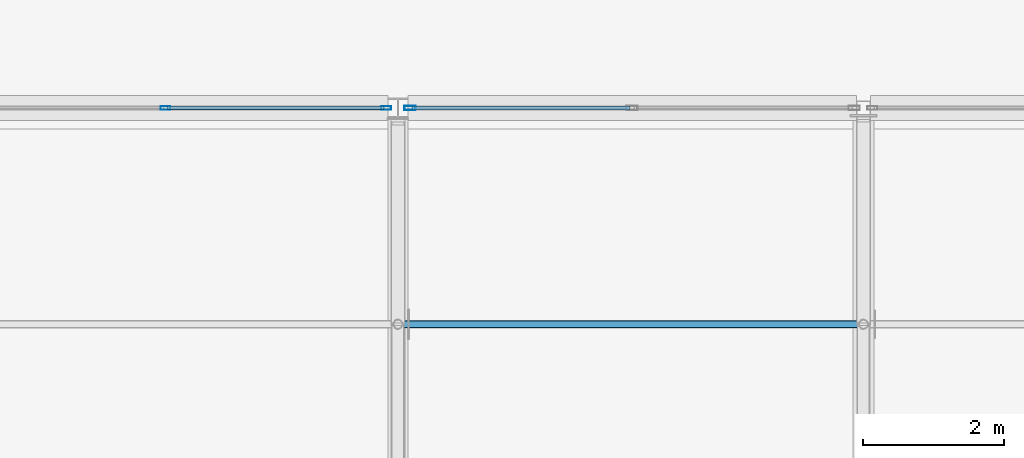
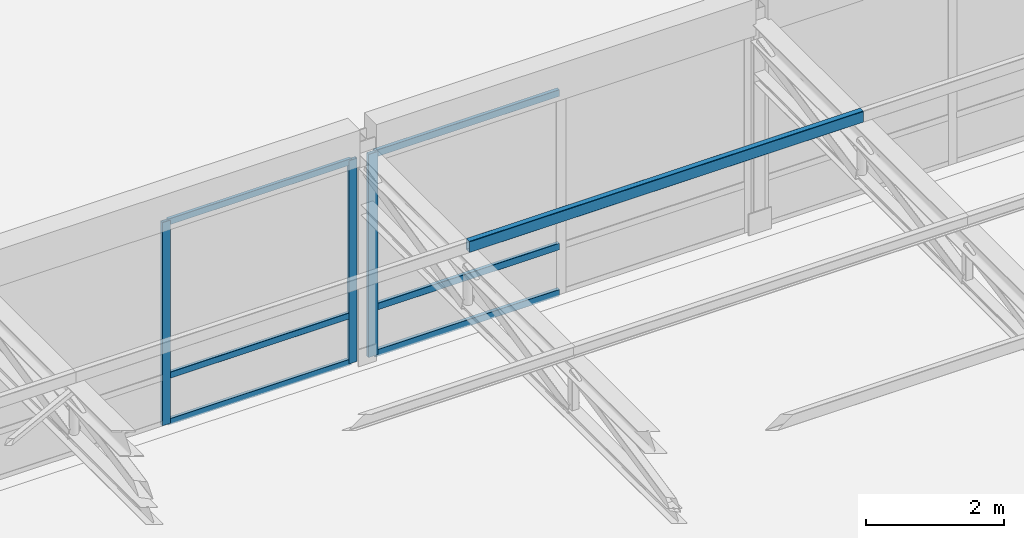
# One storey, part 26 of 92: 10 members, 2 elements without a shape of their own.
"""IFC4 building model written with IfcOpenShell, lengths in metres."""

import ifcopenshell
import ifcopenshell.guid

model = None  # the IFC model being written
_history = None  # IfcOwnerHistory: only IFC2X3 demands one
_inside = {}  # id of a spatial element -> (the spatial element, [elements in it])
_under = {}  # id of a project, library or spatial element -> (it, [spatial elements below it])
_declared = {}  # id of a project -> (the project, [libraries it declares])
_typed = {}  # id of a type object -> (the type object, [elements of that type])
_made_of = {}  # id of a material, layer set ... -> (it, [elements and type objects made of it])


def new_model(schema):
    """Start an empty IFC model of exactly this schema.

    Asked for "IFC4X3", IfcOpenShell would pick the latest addendum, in which some entities
    have other attributes; the version numbers below select the first issue.
    IFC2X3 requires an IfcOwnerHistory on every rooted entity: one is made here for all.
    """
    global model, _history
    if schema == "IFC4X3":
        model = ifcopenshell.file(schema_version=(4, 3, 0, 0))
    else:
        model = ifcopenshell.file(schema=schema)
    _inside.clear()
    _under.clear()
    _declared.clear()
    _typed.clear()
    _made_of.clear()
    _history = None
    if model.schema == "IFC2X3":
        org = make("IfcOrganization", Name="unknown")
        user = make(
            "IfcPersonAndOrganization",
            ThePerson=make("IfcPerson", FamilyName="unknown"),
            TheOrganization=org,
        )
        app = make(
            "IfcApplication",
            ApplicationDeveloper=org,
            Version="unknown",
            ApplicationFullName="unknown",
            ApplicationIdentifier="unknown",
        )
        _history = make(
            "IfcOwnerHistory",
            OwningUser=user,
            OwningApplication=app,
            ChangeAction="ADDED",
            CreationDate=0,
        )
    return model


def make(cls, **values):
    """One entity of the class cls with the attributes given. An attribute that is None is left unset."""
    return model.create_entity(
        cls, **{name: value for name, value in values.items() if value is not None}
    )


def rooted(cls, **values):
    """An entity with a GlobalId (a new one), such as an element, a storey or a relation."""
    return make(cls, GlobalId=ifcopenshell.guid.new(), OwnerHistory=_history, **values)


def si_unit(unit_type, name, prefix=None):
    """IfcSIUnit, for example si_unit("LENGTHUNIT", "METRE", prefix="MILLI")."""
    return make("IfcSIUnit", UnitType=unit_type, Prefix=prefix, Name=name)


def assignment(units):
    """IfcUnitAssignment: the units of a project."""
    return None if units is None else make("IfcUnitAssignment", Units=units)


def point(xyz):
    """IfcCartesianPoint."""
    return None if xyz is None else make("IfcCartesianPoint", Coordinates=xyz)


def direction(xyz):
    """IfcDirection."""
    return None if xyz is None else make("IfcDirection", DirectionRatios=xyz)


def frame(location, z_axis=None, x_axis=None):
    """IfcAxis2Placement3D, a coordinate frame: its origin and axes. An axis left out is left unset."""
    return make(
        "IfcAxis2Placement3D",
        Location=point(location),
        Axis=direction(z_axis),
        RefDirection=direction(x_axis),
    )


def frame_2d(location, x_axis=None):
    """IfcAxis2Placement2D, a coordinate frame in the plane: its origin and x axis."""
    return make(
        "IfcAxis2Placement2D", Location=point(location), RefDirection=direction(x_axis)
    )


def origin():
    """The frame at (0, 0, 0) with its axes left unset."""
    return frame((0.0, 0.0, 0.0))


def origin_2d():
    """The frame at (0, 0) in the plane with its x axis left unset."""
    return frame_2d((0.0, 0.0))


def place(relative_to, where):
    """IfcLocalPlacement: puts the frame where relative to a parent placement (None: the world)."""
    return make(
        "IfcLocalPlacement", PlacementRelTo=relative_to, RelativePlacement=where
    )


def context(
    kind, dimensions, precision=None, world=None, true_north=None, identifier=None
):
    """IfcGeometricRepresentationContext, for example the 3D "Model" context."""
    return make(
        "IfcGeometricRepresentationContext",
        ContextIdentifier=identifier,
        ContextType=kind,
        CoordinateSpaceDimension=dimensions,
        Precision=precision,
        WorldCoordinateSystem=world,
        TrueNorth=true_north,
    )


def subcontext(parent, identifier, kind, view, scale=None):
    """IfcGeometricRepresentationSubContext, for example "Body" below "Model"."""
    return make(
        "IfcGeometricRepresentationSubContext",
        ContextIdentifier=identifier,
        ContextType=kind,
        ParentContext=parent,
        TargetScale=scale,
        TargetView=view,
    )


def project(units=None, contexts=None):
    """IfcProject with its units and contexts."""
    return rooted(
        "IfcProject",
        Name="project",
        RepresentationContexts=contexts,
        UnitsInContext=assignment(units),
    )


def spatial(cls, under=None, at=None, **own):
    """A site, building, storey or space (cls), placed at a placement, below another one or the project."""
    s = rooted(cls, ObjectPlacement=at, **own)
    if under is not None:
        _under.setdefault(under.id(), (under, []))[1].append(s)
    return s


def profile(cls, at=None, kind="AREA", **sizes):
    """A parametric profile (cls). Its sizes go by their IFC names, for example OverallWidth=200.0."""
    return make(cls, ProfileType=kind, Position=at, **sizes)


def hollow_rectangle(**sizes):
    """IfcRectangleHollowProfileDef."""
    return profile("IfcRectangleHollowProfileDef", **sizes)


def extrude(swept, where, along, depth):
    """IfcExtrudedAreaSolid: the profile swept, set in the frame where, extruded along a direction by depth."""
    return make(
        "IfcExtrudedAreaSolid",
        SweptArea=swept,
        Position=where,
        ExtrudedDirection=direction(along),
        Depth=depth,
    )


def shape(context_of_items, identifier, shape_type, items):
    """IfcShapeRepresentation: the items that make up one representation, for example the "Body"."""
    return make(
        "IfcShapeRepresentation",
        ContextOfItems=context_of_items,
        RepresentationIdentifier=identifier,
        RepresentationType=shape_type,
        Items=items,
    )


def material(Name=None, Category=None):
    """IfcMaterial."""
    return make("IfcMaterial", Name=Name, Category=Category)


def material_profile(
    of_material, cross_section, Name=None, Category=None, Priority=None
):
    """IfcMaterialProfile: a cross section and its material."""
    return make(
        "IfcMaterialProfile",
        Name=Name,
        Material=of_material,
        Profile=cross_section,
        Priority=Priority,
        Category=Category,
    )


def profile_set(profiles, Name=None, composite=None):
    """IfcMaterialProfileSet."""
    return make(
        "IfcMaterialProfileSet",
        Name=Name,
        MaterialProfiles=profiles,
        CompositeProfile=composite,
    )


def made_of(thing, what):
    """Note that an element or type object is made of a material, layer set ...; save() writes the relation."""
    if what is not None:
        _made_of.setdefault(what.id(), (what, []))[1].append(thing)
    return thing


def type_object(cls, material=None, **own):
    """A type object (cls), such as IfcWallType, which elements share."""
    return made_of(rooted(cls, **own), material)


def element(
    cls,
    number,
    at=None,
    inside=None,
    cuts=None,
    type_object=None,
    material=None,
    context=None,
    identifier="Body",
    shape_type=None,
    held_by="IfcProductDefinitionShape",
    body=None,
    shapes=None,
    **own,
):
    """One element of the class cls, such as IfcWall. Its Tag is "e" and its number.

    at: its placement. inside: the storey or other place that contains it. cuts: it is an
    opening in that element (IfcRelVoidsElement). A single representation is given by context,
    identifier, shape_type and body (its items); several are given by shapes. held_by: the class
    of the entity that holds the representations. save() writes the other relations.
    """
    e = rooted(cls, Tag="e%d" % number, ObjectPlacement=at, **own)
    if body is not None:
        shapes = [shape(context, identifier, shape_type, body)]
    if shapes is not None:
        e.Representation = make(held_by, Representations=shapes)
    if inside is not None:
        _inside.setdefault(inside.id(), (inside, []))[1].append(e)
    if cuts is not None:
        rooted(
            "IfcRelVoidsElement", RelatingBuildingElement=cuts, RelatedOpeningElement=e
        )
    if type_object is not None:
        _typed.setdefault(type_object.id(), (type_object, []))[1].append(e)
    return made_of(e, material)


def aggregate(whole, parts):
    """IfcRelAggregates: a whole, such as a stair, and the parts it consists of."""
    return rooted("IfcRelAggregates", RelatingObject=whole, RelatedObjects=parts)


def save(model, path):
    """Write the relations noted so far, then the file.

    IfcRelAggregates (storeys below a building ...), IfcRelContainedInSpatialStructure (elements
    in a storey), IfcRelDefinesByType, IfcRelAssociatesMaterial and IfcRelDeclares: one each for
    every whole, place, type object, material and project.
    """
    for whole, parts in _under.values():
        aggregate(whole, parts)
    for where, things in _inside.values():
        rooted(
            "IfcRelContainedInSpatialStructure",
            RelatedElements=things,
            RelatingStructure=where,
        )
    for kind, things in _typed.values():
        rooted("IfcRelDefinesByType", RelatedObjects=things, RelatingType=kind)
    for what, things in _made_of.values():
        rooted("IfcRelAssociatesMaterial", RelatedObjects=things, RelatingMaterial=what)
    for by, libraries in _declared.values():
        rooted("IfcRelDeclares", RelatingContext=by, RelatedDefinitions=libraries)
    model.write(path)


model = new_model("IFC4")

# Units and contexts
model_context = context("Model", 3, precision=1e-05, world=origin(), true_north=direction((0.0, 1.0)))
body_context = subcontext(model_context, "Body", "Model", "MODEL_VIEW")
ifc_project = project(units=[si_unit("LENGTHUNIT", "METRE"), si_unit("AREAUNIT", "SQUARE_METRE"), si_unit("VOLUMEUNIT", "CUBIC_METRE"), si_unit("PLANEANGLEUNIT", "RADIAN"), si_unit("MASSUNIT", "GRAM", prefix="KILO")], contexts=[model_context])

# Site, building, storey
site_placement = place(None, origin())
site = spatial("IfcSite", under=ifc_project, at=site_placement, CompositionType="ELEMENT")
building_placement = place(site_placement, origin())
building = spatial("IfcBuilding", under=site, at=building_placement, Name="Kernevlak Ridge Housing Community", CompositionType="ELEMENT")
storey_placement = place(building_placement, frame((0.0, 0.0, 4.199951171875)))
storey = spatial("IfcBuildingStorey", under=building, at=storey_placement, Name="L01", CompositionType="ELEMENT", Elevation=4.199951171875)

# Curtain wall, members
ifc_material_1 = material(Name="Aluminium EN AW-6060 anodised and laminated glass", Category="aluminium")
curtain_wall_type_1 = type_object("IfcCurtainWallType", Name="CW-11", PredefinedType="NOTDEFINED", material=ifc_material_1)
curtain_wall_1_placement = place(storey_placement, origin())
curtain_wall_1 = element("IfcCurtainWall", 1, at=curtain_wall_1_placement, inside=storey, type_object=curtain_wall_type_1, Name="Curtain wall CW-11 CW-L01-177", PredefinedType="NOTDEFINED")
ifc_material_2 = material(Name="Aluminium EN AW-6060 anodised", Category="aluminium")
ifc_material_profile_1 = material_profile(ifc_material_2, hollow_rectangle(XDim=0.054931640625, YDim=0.139892578125, WallThickness=0.00390625, InnerFilletRadius=0.001953125, OuterFilletRadius=0.00390625, at=origin_2d()), Name="ALU 55x140x4")
ifc_profile_set_1 = profile_set([ifc_material_profile_1], Name="Aluminium EN AW-6060 anodised")
member_type_1 = type_object("IfcMemberType", Name="MU-01", PredefinedType="MULLION", material=ifc_profile_set_1)
member_1_placement = place(storey_placement, frame((74.10498046875, 68.199951171875, 0.0), z_axis=(0.0, 0.0, 1.0), x_axis=(0.0, 1.0, 0.0)))
member_1 = element("IfcMember", 2, at=member_1_placement, type_object=member_type_1, Name="CW-11 mullion 2", PredefinedType="MULLION", context=body_context, shape_type="SweptSolid", body=[
    extrude(hollow_rectangle(XDim=0.054931640625, YDim=0.139892578125, WallThickness=0.00390625, InnerFilletRadius=0.001953125, OuterFilletRadius=0.00390625, at=origin_2d()), origin(), (0.0, 0.0, 1.0), 3.60009765625),
])
member_2_placement = place(storey_placement, frame((77.232421875, 68.199951171875, 0.0), z_axis=(0.0, 0.0, 1.0), x_axis=(0.0, 1.0, 0.0)))
member_2 = element("IfcMember", 3, at=member_2_placement, type_object=member_type_1, Name="CW-11 mullion 3", PredefinedType="MULLION", context=body_context, shape_type="SweptSolid", body=[
    extrude(hollow_rectangle(XDim=0.054931640625, YDim=0.139892578125, WallThickness=0.00390625, InnerFilletRadius=0.001953125, OuterFilletRadius=0.00390625, at=origin_2d()), origin(), (0.0, 0.0, 1.0), 3.60009765625),
])

# Curtain wall, member
curtain_wall_type_2 = type_object("IfcCurtainWallType", Name="CW-12", PredefinedType="NOTDEFINED", material=ifc_material_1)
curtain_wall_2_placement = place(storey_placement, origin())
curtain_wall_2 = element("IfcCurtainWall", 4, at=curtain_wall_2_placement, inside=storey, type_object=curtain_wall_type_2, Name="Curtain wall CW-12 CW-L01-178", PredefinedType="NOTDEFINED")
ifc_material_profile_2 = material_profile(ifc_material_2, hollow_rectangle(XDim=0.06005859375, YDim=0.159912109375, WallThickness=0.00390625, InnerFilletRadius=0.001953125, OuterFilletRadius=0.00390625, at=origin_2d()), Name="ALU 60x160x4")
ifc_profile_set_2 = profile_set([ifc_material_profile_2], Name="Aluminium EN AW-6060 anodised")
member_type_2 = type_object("IfcMemberType", Name="MU-02", PredefinedType="MULLION", material=ifc_profile_set_2)
member_3_placement = place(storey_placement, frame((77.570068359375, 68.199951171875, 0.0), z_axis=(0.0, 0.0, 1.0), x_axis=(0.0, 1.0, 0.0)))
member_3 = element("IfcMember", 5, at=member_3_placement, type_object=member_type_2, Name="CW-12 mullion 1", PredefinedType="MULLION", context=body_context, shape_type="SweptSolid", body=[
    extrude(hollow_rectangle(XDim=0.06005859375, YDim=0.159912109375, WallThickness=0.00390625, InnerFilletRadius=0.001953125, OuterFilletRadius=0.00390625, at=origin_2d()), origin(), (0.0, 0.0, 1.0), 3.60009765625),
])

# Member
ifc_material_3 = material(Name="Steel S355", Category="steel")
ifc_material_profile_3 = material_profile(ifc_material_3, hollow_rectangle(XDim=0.10009765625, YDim=0.199951171875, WallThickness=0.008056640625, InnerFilletRadius=0.008056640625, OuterFilletRadius=0.011962890625, at=origin_2d()), Name="RHS 200x100x8")
ifc_profile_set_3 = profile_set([ifc_material_profile_3], Name="Steel S355")
member_type_3 = type_object("IfcMemberType", Name="PU-05", PredefinedType="PURLIN", material=ifc_profile_set_3)
member_4_placement = place(storey_placement, frame((77.39990234375, 65.13330078125, 3.860107421875), z_axis=(1.0, 0.0, 0.0), x_axis=(0.0, 1.0, 0.0)))
element("IfcMember", 6, at=member_4_placement, inside=storey, type_object=member_type_3, Name="Community Hall steel roof purlin 3.6", PredefinedType="PURLIN", context=body_context, shape_type="SweptSolid", body=[
    extrude(hollow_rectangle(XDim=0.10009765625, YDim=0.199951171875, WallThickness=0.008056640625, InnerFilletRadius=0.008056640625, OuterFilletRadius=0.011962890625, at=origin_2d()), origin(), (0.0, 0.0, 1.0), 6.60009765625),
])

ifc_material_profile_4 = material_profile(ifc_material_2, hollow_rectangle(XDim=0.054931640625, YDim=0.110107421875, WallThickness=0.00390625, InnerFilletRadius=0.001953125, OuterFilletRadius=0.00390625, at=origin_2d()), Name="ALU 55x110x4")
ifc_profile_set_4 = profile_set([ifc_material_profile_4], Name="Aluminium EN AW-6060 anodised")
member_type_4 = type_object("IfcMemberType", Name="TM-01", PredefinedType="USERDEFINED", material=ifc_profile_set_4)
member_5_placement = place(storey_placement, frame((74.132568359375, 68.199951171875, 0.027587890625), z_axis=(1.0, 0.0, 0.0), x_axis=(0.0, 1.0, 0.0)))
member_5 = element("IfcMember", 7, at=member_5_placement, type_object=member_type_4, Name="CW-11 transom 2.1", ObjectType="TRANSOM", PredefinedType="USERDEFINED", context=body_context, shape_type="SweptSolid", body=[
    extrude(hollow_rectangle(XDim=0.054931640625, YDim=0.110107421875, WallThickness=0.00390625, InnerFilletRadius=0.001953125, OuterFilletRadius=0.00390625, at=origin_2d()), origin(), (0.0, 0.0, 1.0), 3.072509765625),
])

member_6_placement = place(storey_placement, frame((74.132568359375, 68.199951171875, 0.85009765625), z_axis=(1.0, 0.0, 0.0), x_axis=(0.0, 1.0, 0.0)))
member_6 = element("IfcMember", 8, at=member_6_placement, type_object=member_type_4, Name="CW-11 transom 2.2", ObjectType="TRANSOM", PredefinedType="USERDEFINED", context=body_context, shape_type="SweptSolid", body=[
    extrude(hollow_rectangle(XDim=0.054931640625, YDim=0.110107421875, WallThickness=0.00390625, InnerFilletRadius=0.001953125, OuterFilletRadius=0.00390625, at=origin_2d()), origin(), (0.0, 0.0, 1.0), 3.072509765625),
])

member_7_placement = place(storey_placement, frame((74.132568359375, 68.199951171875, 3.572509765625), z_axis=(1.0, 0.0, 0.0), x_axis=(0.0, 1.0, 0.0)))
member_7 = element("IfcMember", 9, at=member_7_placement, type_object=member_type_4, Name="CW-11 transom 2.3", ObjectType="TRANSOM", PredefinedType="USERDEFINED", context=body_context, shape_type="SweptSolid", body=[
    extrude(hollow_rectangle(XDim=0.054931640625, YDim=0.110107421875, WallThickness=0.00390625, InnerFilletRadius=0.001953125, OuterFilletRadius=0.00390625, at=origin_2d()), origin(), (0.0, 0.0, 1.0), 3.072509765625),
])

aggregate(curtain_wall_1, [member_1, member_2, member_5, member_6, member_7])

ifc_material_profile_5 = material_profile(ifc_material_2, hollow_rectangle(XDim=0.06005859375, YDim=0.1201171875, WallThickness=0.00390625, InnerFilletRadius=0.001953125, OuterFilletRadius=0.00390625, at=origin_2d()), Name="ALU 60x120x4")
ifc_profile_set_5 = profile_set([ifc_material_profile_5], Name="Aluminium EN AW-6060 anodised")
member_type_5 = type_object("IfcMemberType", Name="TM-02", PredefinedType="USERDEFINED", material=ifc_profile_set_5)
member_8_placement = place(storey_placement, frame((77.60009765625, 68.199951171875, 0.030029296875), z_axis=(1.0, 0.0, 0.0), x_axis=(0.0, 1.0, 0.0)))
member_8 = element("IfcMember", 10, at=member_8_placement, type_object=member_type_5, Name="CW-12 transom 1.1", ObjectType="TRANSOM", PredefinedType="USERDEFINED", context=body_context, shape_type="SweptSolid", body=[
    extrude(hollow_rectangle(XDim=0.06005859375, YDim=0.1201171875, WallThickness=0.00390625, InnerFilletRadius=0.001953125, OuterFilletRadius=0.00390625, at=origin_2d()), origin(), (0.0, 0.0, 1.0), 3.08984375),
])

member_9_placement = place(storey_placement, frame((77.60009765625, 68.199951171875, 0.85009765625), z_axis=(1.0, 0.0, 0.0), x_axis=(0.0, 1.0, 0.0)))
member_9 = element("IfcMember", 11, at=member_9_placement, type_object=member_type_5, Name="CW-12 transom 1.2", ObjectType="TRANSOM", PredefinedType="USERDEFINED", context=body_context, shape_type="SweptSolid", body=[
    extrude(hollow_rectangle(XDim=0.06005859375, YDim=0.1201171875, WallThickness=0.00390625, InnerFilletRadius=0.001953125, OuterFilletRadius=0.00390625, at=origin_2d()), origin(), (0.0, 0.0, 1.0), 3.08984375),
])

member_10_placement = place(storey_placement, frame((77.60009765625, 68.199951171875, 3.570068359375), z_axis=(1.0, 0.0, 0.0), x_axis=(0.0, 1.0, 0.0)))
member_10 = element("IfcMember", 12, at=member_10_placement, type_object=member_type_5, Name="CW-12 transom 1.3", ObjectType="TRANSOM", PredefinedType="USERDEFINED", context=body_context, shape_type="SweptSolid", body=[
    extrude(hollow_rectangle(XDim=0.06005859375, YDim=0.1201171875, WallThickness=0.00390625, InnerFilletRadius=0.001953125, OuterFilletRadius=0.00390625, at=origin_2d()), origin(), (0.0, 0.0, 1.0), 3.08984375),
])

aggregate(curtain_wall_2, [member_3, member_8, member_9, member_10])

save(model, "model.ifc")
